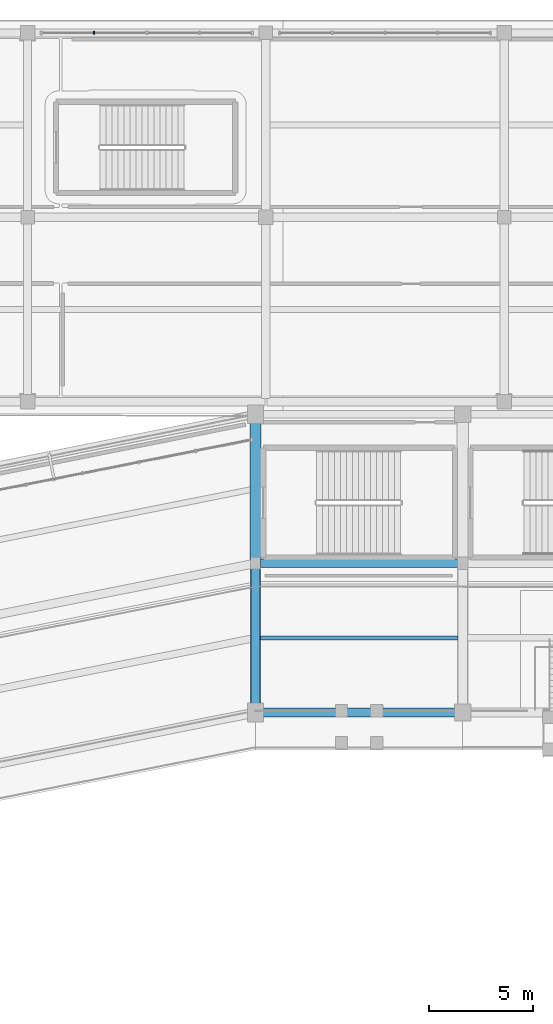
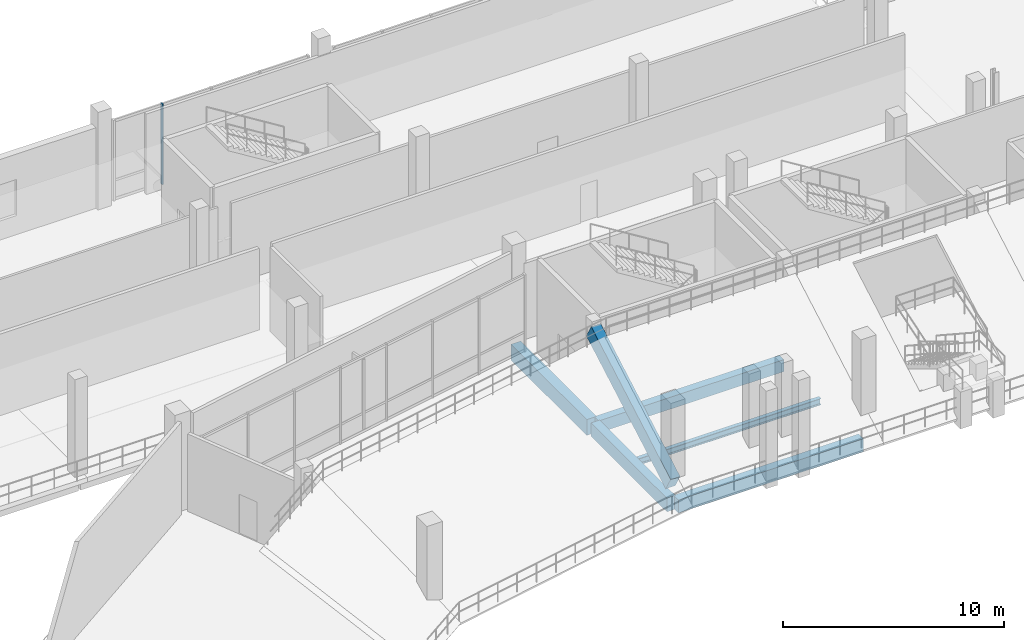
# One storey, part 50 of 127: 6 beams, 1 member, 1 element without a shape of its own.
"""IFC4 building model written with IfcOpenShell, lengths in metres."""

from ifc_helpers import new_model, si_unit, direction, frame, origin, origin_2d, place, context, subcontext, project, spatial, rectangle, i_section, extrude, material, material_profile, profile_set, type_object, element, aggregate, save


model = new_model("IFC4")

# Units and contexts
model_context = context("Model", 3, precision=1e-05, world=origin(), true_north=direction((0.0, 1.0)))
body_context = subcontext(model_context, "Body", "Model", "MODEL_VIEW")
ifc_project = project(units=[si_unit("LENGTHUNIT", "METRE"), si_unit("AREAUNIT", "SQUARE_METRE"), si_unit("VOLUMEUNIT", "CUBIC_METRE"), si_unit("PLANEANGLEUNIT", "RADIAN"), si_unit("MASSUNIT", "GRAM", prefix="KILO")], contexts=[model_context])

# Site, building, storey
site_placement = place(None, origin())
site = spatial("IfcSite", under=ifc_project, at=site_placement, CompositionType="ELEMENT")
building_placement = place(site_placement, origin())
building = spatial("IfcBuilding", under=site, at=building_placement, Name="Candeia Ridge Stadium", CompositionType="ELEMENT")
storey_placement = place(building_placement, frame((0.0, 0.0, 10.800048828125)))
storey = spatial("IfcBuildingStorey", under=building, at=storey_placement, Name="L02", CompositionType="ELEMENT", Elevation=10.800048828125)

# Beams
ifc_material_1 = material(Name="Concrete C45/55", Category="concrete")
ifc_material_profile_1 = material_profile(ifc_material_1, rectangle(XDim=0.449951171875, YDim=0.75, at=origin_2d()), Name="RC450x750", Category="concrete")
ifc_profile_set_1 = profile_set([ifc_material_profile_1], Name="Concrete C45/55")
beam_type_1 = type_object("IfcBeamType", Name="Bowl Radial Girder RC450x750", PredefinedType="BEAM", material=ifc_profile_set_1)
beam_1_placement = place(storey_placement, frame((71.0, 132.760009765625, -0.635009765625), z_axis=(0.0, 1.0, 0.0), x_axis=(-1.0, 0.0, 0.0)))
element("IfcBeam", 1, at=beam_1_placement, inside=storey, type_object=beam_type_1, Name="Bowl radial girder BM-L02-0255", PredefinedType="BEAM", context=body_context, shape_type="SweptSolid", body=[
    extrude(rectangle(XDim=0.449951171875, YDim=0.75, at=origin_2d()), origin(), (0.0, 0.0, 1.0), 6.8798828125),
])
ifc_material_profile_2 = material_profile(ifc_material_1, rectangle(XDim=0.5, YDim=0.89990234375, at=origin_2d()), Name="RC500x900", Category="concrete")
ifc_profile_set_2 = profile_set([ifc_material_profile_2], Name="Concrete C45/55")
beam_type_2 = type_object("IfcBeamType", Name="Club Stand Raker Beam RC500x900", PredefinedType="USERDEFINED", material=ifc_profile_set_2)
beam_2_placement = place(storey_placement, frame((71.0, 132.60009765625, 0.624267578125), z_axis=(0.0, 0.869244421404, 0.494382580455), x_axis=(-1.0, 0.0, 0.0)))
element("IfcBeam", 2, at=beam_2_placement, inside=storey, type_object=beam_type_2, Name="Stand T2 inclined concrete raker beam 08", ObjectType="RAKER", PredefinedType="USERDEFINED", context=body_context, shape_type="SweptSolid", body=[
    extrude(rectangle(XDim=0.5, YDim=0.89990234375, at=origin_2d()), origin(), (0.0, 0.0, 1.0), 8.282958984375),
])
ifc_material_2 = material(Name="Steel ASTM A572 Grade 50", Category="steel")
ifc_material_profile_3 = material_profile(ifc_material_2, i_section(OverallWidth=0.205078125, OverallDepth=0.35400390625, WebThickness=0.009521484375, FlangeThickness=0.016845703125, FilletRadius=0.014892578125, at=origin_2d()), Name="W360x79", Category="steel")
ifc_profile_set_3 = profile_set([ifc_material_profile_3], Name="Steel ASTM A572 Grade 50")
beam_type_3 = type_object("IfcBeamType", Name="Concourse Secondary Joist W360x79", PredefinedType="JOIST", material=ifc_profile_set_3)
beam_3_placement = place(storey_placement, frame((80.778076171875, 136.199951171875, -0.43701171875), z_axis=(-1.0, 0.0, 0.0), x_axis=(0.0, -1.0, 0.0)))
element("IfcBeam", 3, at=beam_3_placement, inside=storey, type_object=beam_type_3, Name="Concourse secondary joist BM-L02-0342", PredefinedType="JOIST", context=body_context, shape_type="SweptSolid", body=[
    extrude(i_section(OverallWidth=0.205078125, OverallDepth=0.35400390625, WebThickness=0.009521484375, FlangeThickness=0.016845703125, FilletRadius=0.014892578125, at=origin_2d()), origin(), (0.0, 0.0, 1.0), 9.55615234375),
])

# Curtain wall, member
ifc_material_3 = material(Name="Aluminium Anodized Warm Bronze", Category="aluminium")
curtain_wall_type = type_object("IfcCurtainWallType", Name="Museum & Boulevard Showcase Curtain Wall", PredefinedType="NOTDEFINED", material=ifc_material_3)
curtain_wall_placement = place(storey_placement, origin())
curtain_wall = element("IfcCurtainWall", 4, at=curtain_wall_placement, inside=storey, type_object=curtain_wall_type, Name="Unitised curtain wall CW-WNG-L02-150", PredefinedType="NOTDEFINED")
ifc_material_profile_4 = material_profile(ifc_material_3, rectangle(XDim=0.074951171875, YDim=0.14990234375, at=origin_2d()), Name="CWM-75x150", Category="aluminium")
ifc_profile_set_4 = profile_set([ifc_material_profile_4], Name="Aluminium Anodized Warm Bronze")
member_type = type_object("IfcMemberType", Name="Curtain Wall Secondary Mullion 75x150", PredefinedType="MULLION", material=ifc_profile_set_4)
member_placement = place(storey_placement, frame((63.205078125, 165.39990234375, 0.0), z_axis=(0.0, 0.0, 1.0), x_axis=(1.0, 0.0, 0.0)))
member = element("IfcMember", 5, at=member_placement, type_object=member_type, Name="Curtain wall mullion CW-WNG-L02-150-M1", PredefinedType="MULLION", context=body_context, shape_type="SweptSolid", body=[
    extrude(rectangle(XDim=0.074951171875, YDim=0.14990234375, at=origin_2d()), origin(), (0.0, 0.0, 1.0), 4.454833984375),
])
aggregate(curtain_wall, [member])

# Beams
ifc_material_4 = material(Name="Concrete C40/50", Category="concrete")
ifc_material_profile_5 = material_profile(ifc_material_4, rectangle(XDim=0.409912109375, YDim=0.659912109375, at=origin_2d()), Name="RC410x660", Category="concrete")
ifc_profile_set_5 = profile_set([ifc_material_profile_5], Name="Concrete C40/50")
beam_type_4 = type_object("IfcBeamType", Name="Frame Girder RC410x660", PredefinedType="BEAM", material=ifc_profile_set_5)
beam_4_placement = place(storey_placement, frame((80.840087890625, 139.800048828125, -0.590087890625), z_axis=(-1.0, 0.0, 0.0), x_axis=(0.0, -1.0, 0.0)))
element("IfcBeam", 6, at=beam_4_placement, inside=storey, type_object=beam_type_4, Name="Concourse spine girder BM-L02-0340", PredefinedType="BEAM", context=body_context, shape_type="SweptSolid", body=[
    extrude(rectangle(XDim=0.409912109375, YDim=0.659912109375, at=origin_2d()), origin(), (0.0, 0.0, 1.0), 9.68017578125),
])
ifc_material_profile_6 = material_profile(ifc_material_4, rectangle(XDim=0.43994140625, YDim=0.719970703125, at=origin_2d()), Name="RC440x720", Category="concrete")
ifc_profile_set_6 = profile_set([ifc_material_profile_6], Name="Concrete C40/50")
beam_type_5 = type_object("IfcBeamType", Name="Frame Girder RC440x720", PredefinedType="BEAM", material=ifc_profile_set_6)
beam_5_placement = place(storey_placement, frame((80.840087890625, 132.60009765625, -0.6201171875), z_axis=(-1.0, 0.0, 0.0), x_axis=(0.0, -1.0, 0.0)))
element("IfcBeam", 7, at=beam_5_placement, inside=storey, type_object=beam_type_5, Name="Bowl inner ring girder BM-L02-0339", PredefinedType="BEAM", context=body_context, shape_type="SweptSolid", body=[
    extrude(rectangle(XDim=0.43994140625, YDim=0.719970703125, at=origin_2d()), origin(), (0.0, 0.0, 1.0), 9.68017578125),
])
ifc_material_profile_7 = material_profile(ifc_material_1, rectangle(XDim=0.52001953125, YDim=0.8798828125, at=origin_2d()), Name="RC520x880", Category="concrete")
ifc_profile_set_7 = profile_set([ifc_material_profile_7], Name="Concrete C45/55")
beam_type_6 = type_object("IfcBeamType", Name="Frame Girder RC520x880", PredefinedType="BEAM", material=ifc_profile_set_7)
beam_6_placement = place(storey_placement, frame((71.0, 139.9599609375, -0.699951171875), z_axis=(0.0, 1.0, 0.0), x_axis=(-1.0, 0.0, 0.0)))
element("IfcBeam", 8, at=beam_6_placement, inside=storey, type_object=beam_type_6, Name="Bowl radial girder BM-L02-0256", PredefinedType="BEAM", context=body_context, shape_type="SweptSolid", body=[
    extrude(rectangle(XDim=0.52001953125, YDim=0.8798828125, at=origin_2d()), origin(), (0.0, 0.0, 1.0), 6.880126953125),
])

save(model, "model.ifc")
